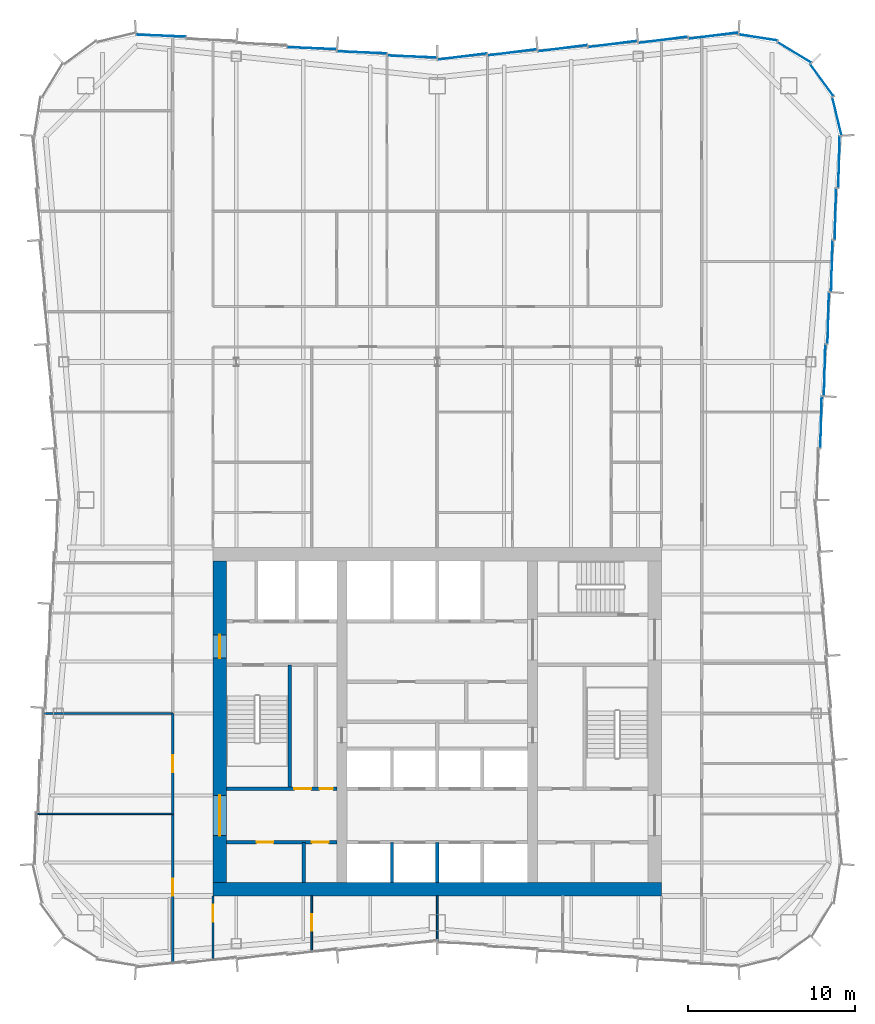
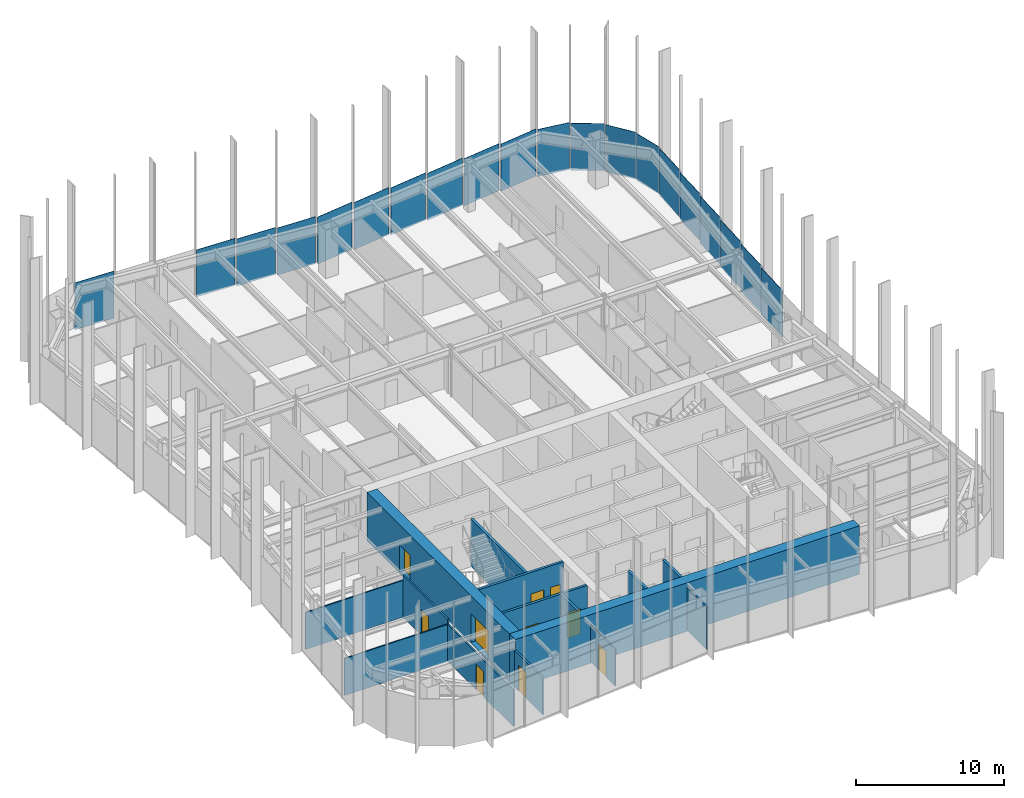
# One storey, part 10 of 15: 20 plates, 15 walls, 10 doors, 10 openings, 3 elements without a shape of their own.
"""IFC4 building model written with IfcOpenShell, lengths in metres."""

from ifc_helpers import new_model, si_unit, direction, frame, frame_2d, origin, origin_2d, place, context, subcontext, project, spatial, rectangle, extrude, material, layer, layer_set, type_object, element, fill, aggregate, save


model = new_model("IFC4")

# Units and contexts
model_context = context("Model", 3, precision=1e-05, world=origin(), true_north=direction((0.0, 1.0)))
body_context = subcontext(model_context, "Body", "Model", "MODEL_VIEW")
ifc_project = project(units=[si_unit("LENGTHUNIT", "METRE"), si_unit("AREAUNIT", "SQUARE_METRE"), si_unit("VOLUMEUNIT", "CUBIC_METRE"), si_unit("PLANEANGLEUNIT", "RADIAN"), si_unit("MASSUNIT", "GRAM", prefix="KILO")], contexts=[model_context])

# Site, building, storey
site_placement = place(None, origin())
site = spatial("IfcSite", under=ifc_project, at=site_placement, CompositionType="ELEMENT")
building_placement = place(site_placement, origin())
building = spatial("IfcBuilding", under=site, at=building_placement, Name="Verdant Reach Tower", CompositionType="ELEMENT")
storey_placement = place(building_placement, frame((0.0, 0.0, 262.0)))
storey = spatial("IfcBuildingStorey", under=building, at=storey_placement, Name="L60", CompositionType="ELEMENT", Elevation=262.0)

# Curtain wall, plates
ifc_material_1 = material(Name="Anodised aluminium", Category="aluminium")
curtain_wall_type = type_object("IfcCurtainWallType", Name="EN-CW SYSTEM Z4", PredefinedType="NOTDEFINED", material=ifc_material_1)
curtain_wall_1_placement = place(storey_placement, origin())
curtain_wall_1 = element("IfcCurtainWall", 1, at=curtain_wall_1_placement, inside=storey, type_object=curtain_wall_type, Name="Curtain wall east, L60", PredefinedType="NOTDEFINED")
ifc_material_2 = material(Name="Tinted glass with champagne spandrel", Category="glass")
ifc_layer_1 = layer(ifc_material_2, 0.031982421875)
ifc_layer_set_1 = layer_set([ifc_layer_1], Name="EN-PANEL CHAMPAGNE")
plate_type_1 = type_object("IfcPlateType", Name="EN-PANEL CHAMPAGNE", PredefinedType="CURTAIN_PANEL", material=ifc_layer_set_1)
plate_1_placement = place(storey_placement, frame((23.36181640625, 52.1171875, -0.221923828125), z_axis=(0.0, 0.0, 1.0), x_axis=(0.026965318308, 0.999636369691, 0.0)))
plate_1 = element("IfcPlate", 2, at=plate_1_placement, type_object=plate_type_1, Name="Glass panel east face part 2 4.1, L60", PredefinedType="CURTAIN_PANEL", context=body_context, shape_type="SweptSolid", body=[
    extrude(rectangle(XDim=3.050537109375, YDim=0.031982421875, at=origin_2d()), origin(), (0.0, 0.0, 1.0), 3.8720703125),
])
plate_2_placement = place(storey_placement, frame((23.575927734375, 55.224365234375, -0.221923828125), z_axis=(0.0, 0.0, 1.0), x_axis=(0.026965318308, 0.999636369691, 0.0)))
plate_2 = element("IfcPlate", 3, at=plate_2_placement, type_object=plate_type_1, Name="Glass panel east face part 2 5.1, L60", PredefinedType="CURTAIN_PANEL", context=body_context, shape_type="SweptSolid", body=[
    extrude(rectangle(XDim=3.050537109375, YDim=0.031982421875, at=origin_2d()), origin(), (0.0, 0.0, 1.0), 3.8720703125),
])

curtain_wall_2_placement = place(storey_placement, origin())
curtain_wall_2 = element("IfcCurtainWall", 4, at=curtain_wall_2_placement, inside=storey, type_object=curtain_wall_type, Name="Curtain wall north-east corner, L60", PredefinedType="NOTDEFINED")
plate_3_placement = place(storey_placement, frame((22.984375, 66.330322265625, -0.221923828125), z_axis=(0.0, 0.0, 1.0), x_axis=(-0.589926737254, 0.80745677573, 0.0)))
plate_3 = element("IfcPlate", 5, at=plate_3_placement, type_object=plate_type_1, Name="Glass panel north-east corner 2.1, L60", PredefinedType="CURTAIN_PANEL", context=body_context, shape_type="SweptSolid", body=[
    extrude(rectangle(XDim=2.32080078125, YDim=0.031982421875, at=origin_2d()), origin(), (0.0, 0.0, 1.0), 3.8720703125),
])
plate_4_placement = place(storey_placement, frame((21.330322265625, 67.984375, -0.221923828125), z_axis=(0.0, 0.0, 1.0), x_axis=(-0.853988708265, 0.520291539577, 0.0)))
plate_4 = element("IfcPlate", 6, at=plate_4_placement, type_object=plate_type_1, Name="Glass panel north-east corner 3.1, L60", PredefinedType="CURTAIN_PANEL", context=body_context, shape_type="SweptSolid", body=[
    extrude(rectangle(XDim=2.32080078125, YDim=0.031982421875, at=origin_2d()), origin(), (0.0, 0.0, 1.0), 3.8720703125),
])
plate_5_placement = place(storey_placement, frame((19.172607421875, 68.87939453125, -0.221923828125), z_axis=(0.0, 0.0, 1.0), x_axis=(-0.98802725693, 0.154279420415, 0.0)))
plate_5 = element("IfcPlate", 7, at=plate_5_placement, type_object=plate_type_1, Name="Glass panel north-east corner 4.1, L60", PredefinedType="CURTAIN_PANEL", context=body_context, shape_type="SweptSolid", body=[
    extrude(rectangle(XDim=2.314453125, YDim=0.031982421875, at=origin_2d()), origin(), (0.0, 0.0, 1.0), 3.8720703125),
])

curtain_wall_3_placement = place(storey_placement, origin())
curtain_wall_3 = element("IfcCurtainWall", 8, at=curtain_wall_3_placement, inside=storey, type_object=curtain_wall_type, Name="Curtain wall north, L60", PredefinedType="NOTDEFINED")
plate_6_placement = place(storey_placement, frame((16.49853515625, 68.98681640625, -0.221923828125), z_axis=(0.0, 0.0, 1.0), x_axis=(-0.992238962139, -0.124345655383, 0.0)))
plate_6 = element("IfcPlate", 9, at=plate_6_placement, type_object=plate_type_1, Name="Glass panel north face part 1 1.1, L60", PredefinedType="CURTAIN_PANEL", context=body_context, shape_type="SweptSolid", body=[
    extrude(rectangle(XDim=2.9619140625, YDim=0.031982421875, at=origin_2d()), origin(), (0.0, 0.0, 1.0), 3.8720703125),
])
plate_7_placement = place(storey_placement, frame((13.49072265625, 68.736572265625, -0.221923828125), z_axis=(0.0, 0.0, 1.0), x_axis=(-0.992194034542, -0.124703639961, 0.0)))
plate_7 = element("IfcPlate", 10, at=plate_7_placement, type_object=plate_type_1, Name="Glass panel north face part 1 2.1, L60", PredefinedType="CURTAIN_PANEL", context=body_context, shape_type="SweptSolid", body=[
    extrude(rectangle(XDim=2.9462890625, YDim=0.031982421875, at=origin_2d()), origin(), (0.0, 0.0, 1.0), 3.8720703125),
])
plate_8_placement = place(storey_placement, frame((-4.49072265625, 67.986572265625, -0.221923828125), z_axis=(0.0, 0.0, 1.0), x_axis=(-0.999149202059, 0.041241629766, 0.0)))
plate_8 = element("IfcPlate", 11, at=plate_8_placement, type_object=plate_type_1, Name="Glass panel north face part 2 2.1, L60", PredefinedType="CURTAIN_PANEL", context=body_context, shape_type="SweptSolid", body=[
    extrude(rectangle(XDim=2.9462890625, YDim=0.031982421875, at=origin_2d()), origin(), (0.0, 0.0, 1.0), 3.8720703125),
])
plate_9_placement = place(storey_placement, frame((-7.49072265625, 68.236572265625, -0.221923828125), z_axis=(0.0, 0.0, 1.0), x_axis=(-0.999149202059, 0.041241629766, 0.0)))
plate_9 = element("IfcPlate", 12, at=plate_9_placement, type_object=plate_type_1, Name="Glass panel north face part 2 3.1, L60", PredefinedType="CURTAIN_PANEL", context=body_context, shape_type="SweptSolid", body=[
    extrude(rectangle(XDim=2.9462890625, YDim=0.031982421875, at=origin_2d()), origin(), (0.0, 0.0, 1.0), 3.8720703125),
])

# Plate
ifc_material_3 = material(Name="Tinted glass with copper spandrel", Category="glass")
ifc_layer_2 = layer(ifc_material_3, 0.031982421875)
ifc_layer_set_2 = layer_set([ifc_layer_2], Name="EN-PANEL COPPER")
plate_type_2 = type_object("IfcPlateType", Name="EN-PANEL COPPER", PredefinedType="CURTAIN_PANEL", material=ifc_layer_set_2)
plate_10_placement = place(storey_placement, frame((23.790283203125, 58.33154296875, -0.221923828125), z_axis=(0.0, 0.0, 1.0), x_axis=(0.026965318308, 0.999636369691, 0.0)))
plate_10 = element("IfcPlate", 13, at=plate_10_placement, type_object=plate_type_2, Name="Glass panel east face part 2 6.1, L60", PredefinedType="CURTAIN_PANEL", context=body_context, shape_type="SweptSolid", body=[
    extrude(rectangle(XDim=3.050537109375, YDim=0.031982421875, at=origin_2d()), origin(), (0.0, 0.0, 1.0), 3.8720703125),
])

plate_11_placement = place(storey_placement, frame((24.004638671875, 61.446044921875, -0.221923828125), z_axis=(0.0, 0.0, 1.0), x_axis=(0.026651253217, 0.999644792265, 0.0)))
plate_11 = element("IfcPlate", 14, at=plate_11_placement, type_object=plate_type_2, Name="Glass panel east face part 2 7.1, L60", PredefinedType="CURTAIN_PANEL", context=body_context, shape_type="SweptSolid", body=[
    extrude(rectangle(XDim=3.0654296875, YDim=0.031982421875, at=origin_2d()), origin(), (0.0, 0.0, 1.0), 3.8720703125),
])

plate_12_placement = place(storey_placement, frame((10.49072265625, 68.486572265625, -0.221923828125), z_axis=(0.0, 0.0, 1.0), x_axis=(-0.992194034542, -0.124703639961, 0.0)))
plate_12 = element("IfcPlate", 15, at=plate_12_placement, type_object=plate_type_2, Name="Glass panel north face part 1 3.1, L60", PredefinedType="CURTAIN_PANEL", context=body_context, shape_type="SweptSolid", body=[
    extrude(rectangle(XDim=2.9462890625, YDim=0.031982421875, at=origin_2d()), origin(), (0.0, 0.0, 1.0), 3.8720703125),
])

plate_13_placement = place(storey_placement, frame((7.49072265625, 68.236572265625, -0.221923828125), z_axis=(0.0, 0.0, 1.0), x_axis=(-0.992194034542, -0.124703639961, 0.0)))
plate_13 = element("IfcPlate", 16, at=plate_13_placement, type_object=plate_type_2, Name="Glass panel north face part 1 4.1, L60", PredefinedType="CURTAIN_PANEL", context=body_context, shape_type="SweptSolid", body=[
    extrude(rectangle(XDim=2.9462890625, YDim=0.031982421875, at=origin_2d()), origin(), (0.0, 0.0, 1.0), 3.8720703125),
])

plate_14_placement = place(storey_placement, frame((-16.49853515625, 68.98681640625, -0.221923828125), z_axis=(0.0, 0.0, 1.0), x_axis=(-0.999164016711, 0.040881141246, 0.0)))
plate_14 = element("IfcPlate", 17, at=plate_14_placement, type_object=plate_type_2, Name="Glass panel north face part 2 6.1, L60", PredefinedType="CURTAIN_PANEL", context=body_context, shape_type="SweptSolid", body=[
    extrude(rectangle(XDim=2.9619140625, YDim=0.031982421875, at=origin_2d()), origin(), (0.0, 0.0, 1.0), 3.8720703125),
])

ifc_material_4 = material(Name="Tinted glass with dark bronze spandrel", Category="glass")
ifc_layer_3 = layer(ifc_material_4, 0.031982421875)
ifc_layer_set_3 = layer_set([ifc_layer_3], Name="EN-PANEL DARK")
plate_type_3 = type_object("IfcPlateType", Name="EN-PANEL DARK", PredefinedType="CURTAIN_PANEL", material=ifc_layer_set_3)
plate_15_placement = place(storey_placement, frame((22.93310546875, 45.903076171875, -0.221923828125), z_axis=(0.0, 0.0, 1.0), x_axis=(0.026965318308, 0.999636369691, 0.0)))
plate_15 = element("IfcPlate", 18, at=plate_15_placement, type_object=plate_type_3, Name="Glass panel east face part 2 2.1, L60", PredefinedType="CURTAIN_PANEL", context=body_context, shape_type="SweptSolid", body=[
    extrude(rectangle(XDim=3.050537109375, YDim=0.031982421875, at=origin_2d()), origin(), (0.0, 0.0, 1.0), 3.8720703125),
])

plate_16_placement = place(storey_placement, frame((23.1474609375, 49.01025390625, -0.221923828125), z_axis=(0.0, 0.0, 1.0), x_axis=(0.026965318308, 0.999636369691, 0.0)))
plate_16 = element("IfcPlate", 19, at=plate_16_placement, type_object=plate_type_3, Name="Glass panel east face part 2 3.1, L60", PredefinedType="CURTAIN_PANEL", context=body_context, shape_type="SweptSolid", body=[
    extrude(rectangle(XDim=3.050537109375, YDim=0.031982421875, at=origin_2d()), origin(), (0.0, 0.0, 1.0), 3.8720703125),
])

aggregate(curtain_wall_1, [plate_15, plate_16, plate_1, plate_2, plate_10, plate_11])

plate_17_placement = place(storey_placement, frame((23.87939453125, 64.173095703125, -0.221923828125), z_axis=(0.0, 0.0, 1.0), x_axis=(-0.236458850433, 0.971641503875, 0.0)))
plate_17 = element("IfcPlate", 20, at=plate_17_placement, type_object=plate_type_3, Name="Glass panel north-east corner 1.1, L60", PredefinedType="CURTAIN_PANEL", context=body_context, shape_type="SweptSolid", body=[
    extrude(rectangle(XDim=2.313720703125, YDim=0.031982421875, at=origin_2d()), origin(), (0.0, 0.0, 1.0), 3.8720703125),
])

aggregate(curtain_wall_2, [plate_17, plate_3, plate_4, plate_5])

plate_18_placement = place(storey_placement, frame((4.49072265625, 67.986572265625, -0.221923828125), z_axis=(0.0, 0.0, 1.0), x_axis=(-0.992194034542, -0.124703639961, 0.0)))
plate_18 = element("IfcPlate", 21, at=plate_18_placement, type_object=plate_type_3, Name="Glass panel north face part 1 5.1, L60", PredefinedType="CURTAIN_PANEL", context=body_context, shape_type="SweptSolid", body=[
    extrude(rectangle(XDim=2.9462890625, YDim=0.031982421875, at=origin_2d()), origin(), (0.0, 0.0, 1.0), 3.8720703125),
])

plate_19_placement = place(storey_placement, frame((1.495361328125, 67.73681640625, -0.221923828125), z_axis=(0.0, 0.0, 1.0), x_axis=(-0.992177950603, -0.124831543836, 0.0)))
plate_19 = element("IfcPlate", 22, at=plate_19_placement, type_object=plate_type_3, Name="Glass panel north face part 1 6.1, L60", PredefinedType="CURTAIN_PANEL", context=body_context, shape_type="SweptSolid", body=[
    extrude(rectangle(XDim=2.93701171875, YDim=0.031982421875, at=origin_2d()), origin(), (0.0, 0.0, 1.0), 3.8720703125),
])

plate_20_placement = place(storey_placement, frame((-1.495361328125, 67.73681640625, -0.221923828125), z_axis=(0.0, 0.0, 1.0), x_axis=(-0.999143877249, 0.041370430933, 0.0)))
plate_20 = element("IfcPlate", 23, at=plate_20_placement, type_object=plate_type_3, Name="Glass panel north face part 2 1.1, L60", PredefinedType="CURTAIN_PANEL", context=body_context, shape_type="SweptSolid", body=[
    extrude(rectangle(XDim=2.93701171875, YDim=0.031982421875, at=origin_2d()), origin(), (0.0, 0.0, 1.0), 3.8720703125),
])

aggregate(curtain_wall_3, [plate_6, plate_7, plate_12, plate_13, plate_18, plate_19, plate_20, plate_8, plate_9, plate_14])

# Wall, openings, doors
ifc_material_5 = material(Name="Gypsum board on steel studs", Category="steel")
ifc_layer_4 = layer(ifc_material_5, 0.199951171875)
ifc_layer_set_4 = layer_set([ifc_layer_4], Name="CO-WALL-ROOM")
wall_type_1 = type_object("IfcWallType", Name="CO-WALL-ROOM", PredefinedType="PARTITIONING", material=ifc_layer_set_4)
wall_1_placement = place(storey_placement, frame((-12.60009765625, 20.800048828125, 0.0), z_axis=(0.0, 0.0, 1.0), x_axis=(1.0, 0.0, 0.0)))
wall_1 = element("IfcWall", 24, at=wall_1_placement, inside=storey, type_object=wall_type_1, Name="Core partition, L60", PredefinedType="PARTITIONING", context=body_context, shape_type="SweptSolid", body=[
    extrude(rectangle(XDim=6.60009765625, YDim=0.199951171875, at=frame_2d((3.300048828125, 0.0))), origin(), (0.0, 0.0, 1.0), 3.8701171875),
])
opening_1_placement = place(wall_1_placement, frame((1.81005859375, 0.0, 0.0)))
opening_1 = element("IfcOpeningElement", 25, at=opening_1_placement, cuts=wall_1, Name="Opening CD", PredefinedType="OPENING", context=body_context, shape_type="SweptSolid", body=[
    extrude(rectangle(XDim=1.0, YDim=2.10009765625, at=frame_2d((0.5, 1.050048828125))), frame((0.0, 0.10986328125, 0.0), z_axis=(0.0, -1.0, 0.0), x_axis=(1.0, 0.0, 0.0)), (0.0, 0.0, 1.0), 0.219970703125),
])
opening_2_placement = place(wall_1_placement, frame((5.110107421875, 0.0, 0.0)))
opening_2 = element("IfcOpeningElement", 26, at=opening_2_placement, cuts=wall_1, Name="Opening CD", PredefinedType="OPENING", context=body_context, shape_type="SweptSolid", body=[
    extrude(rectangle(XDim=1.0, YDim=2.10009765625, at=frame_2d((0.5, 1.050048828125))), frame((0.0, 0.10986328125, 0.0), z_axis=(0.0, -1.0, 0.0), x_axis=(1.0, 0.0, 0.0)), (0.0, 0.0, 1.0), 0.219970703125),
])
ifc_material_6 = material(Name="Timber", Category="wood")
door_type_1 = type_object("IfcDoorType", Name="CO-DOOR-ROOM", OperationType="NOTDEFINED", PredefinedType="DOOR", material=ifc_material_6)
door_1_placement = place(opening_1_placement, origin())
door_1 = element("IfcDoor", 27, at=door_1_placement, inside=storey, type_object=door_type_1, Name="Core room door, L60", OperationType="SINGLE_SWING_LEFT", OverallHeight=2.10009765625, OverallWidth=1.0, PredefinedType="DOOR", context=body_context, shape_type="SweptSolid", body=[
    extrude(rectangle(XDim=1.0, YDim=2.10009765625, at=frame_2d((0.5, 1.050048828125))), frame((0.0, 0.02490234375, 0.0), z_axis=(0.0, -1.0, 0.0), x_axis=(1.0, 0.0, 0.0)), (0.0, 0.0, 1.0), 0.050048828125),
])
fill(opening_1, door_1)
door_2_placement = place(opening_2_placement, origin())
door_2 = element("IfcDoor", 28, at=door_2_placement, inside=storey, type_object=door_type_1, Name="Core room door, L60", OperationType="SINGLE_SWING_LEFT", OverallHeight=2.10009765625, OverallWidth=1.0, PredefinedType="DOOR", context=body_context, shape_type="SweptSolid", body=[
    extrude(rectangle(XDim=1.0, YDim=2.10009765625, at=frame_2d((0.5, 1.050048828125))), frame((0.0, 0.02490234375, 0.0), z_axis=(0.0, -1.0, 0.0), x_axis=(1.0, 0.0, 0.0)), (0.0, 0.0, 1.0), 0.050048828125),
])
fill(opening_2, door_2)

# Walls
wall_2_placement = place(storey_placement, frame((-7.97998046875, 18.39990234375, 0.0), z_axis=(0.0, 0.0, 1.0), x_axis=(0.0, 1.0, 0.0)))
element("IfcWall", 29, at=wall_2_placement, inside=storey, type_object=wall_type_1, Name="Core partition, L60", PredefinedType="PARTITIONING", context=body_context, shape_type="SweptSolid", body=[
    extrude(rectangle(XDim=2.400146484375, YDim=0.199951171875, at=frame_2d((1.2001953125, 0.0))), origin(), (0.0, 0.0, 1.0), 3.8701171875),
])
ifc_material_7 = material(Name="Concrete C40/50", Category="concrete")
ifc_layer_5 = layer(ifc_material_7, 0.199951171875)
ifc_layer_set_5 = layer_set([ifc_layer_5], Name="CO-WALL-SHAFT")
wall_type_2 = type_object("IfcWallType", Name="CO-WALL-SHAFT", PredefinedType="PARTITIONING", material=ifc_layer_set_5)
for number, where, z_axis, x_axis, name in (
    (30, (-2.699951171875, 18.39990234375, 0.0), (0.0, 0.0, 1.0), (0.0, 1.0, 0.0), "Lift shaft wall, L60"),
    (31, (0.0, 18.39990234375, 0.0), (0.0, 0.0, 1.0), (0.0, 1.0, 0.0), "Lift shaft wall, L60"),
):
    element("IfcWall", number, at=place(storey_placement, frame(where, z_axis=z_axis, x_axis=x_axis)), inside=storey, type_object=wall_type_2, Name=name, PredefinedType="PARTITIONING", context=body_context, shape_type="SweptSolid", body=[
        extrude(rectangle(XDim=2.400146484375, YDim=0.199951171875, at=frame_2d((1.2001953125, 0.0))), origin(), (0.0, 0.0, 1.0), 3.8701171875),
    ])

# Wall, openings, doors
ifc_layer_6 = layer(ifc_material_7, 0.199951171875)
ifc_layer_set_6 = layer_set([ifc_layer_6], Name="CO-WALL-STAIR")
wall_type_3 = type_object("IfcWallType", Name="CO-WALL-STAIR", PredefinedType="PARTITIONING", material=ifc_layer_set_6)
wall_3_placement = place(storey_placement, frame((-12.60009765625, 24.0, 0.0), z_axis=(0.0, 0.0, 1.0), x_axis=(1.0, 0.0, 0.0)))
wall_3 = element("IfcWall", 32, at=wall_3_placement, inside=storey, type_object=wall_type_3, Name="Stair enclosure wall, L60", PredefinedType="PARTITIONING", context=body_context, shape_type="SweptSolid", body=[
    extrude(rectangle(XDim=6.60009765625, YDim=0.199951171875, at=frame_2d((3.300048828125, 0.0))), origin(), (0.0, 0.0, 1.0), 3.8701171875),
])
opening_3_placement = place(wall_3_placement, frame((4.070068359375, 0.0, 0.0)))
opening_3 = element("IfcOpeningElement", 33, at=opening_3_placement, cuts=wall_3, Name="Opening CD", PredefinedType="OPENING", context=body_context, shape_type="SweptSolid", body=[
    extrude(rectangle(XDim=1.0, YDim=2.10009765625, at=frame_2d((0.5, 1.050048828125))), frame((0.0, 0.10986328125, 0.0), z_axis=(0.0, -1.0, 0.0), x_axis=(1.0, 0.0, 0.0)), (0.0, 0.0, 1.0), 0.219970703125),
])
opening_4_placement = place(wall_3_placement, frame((5.570068359375, 0.0, 0.0)))
opening_4 = element("IfcOpeningElement", 34, at=opening_4_placement, cuts=wall_3, Name="Opening CDN", PredefinedType="OPENING", context=body_context, shape_type="SweptSolid", body=[
    extrude(rectangle(XDim=0.800048828125, YDim=2.10009765625, at=frame_2d((0.39990234375, 1.050048828125))), frame((0.0, 0.10986328125, 0.0), z_axis=(0.0, -1.0, 0.0), x_axis=(1.0, 0.0, 0.0)), (0.0, 0.0, 1.0), 0.219970703125),
])
door_3_placement = place(opening_3_placement, origin())
door_3 = element("IfcDoor", 35, at=door_3_placement, inside=storey, type_object=door_type_1, Name="Core room door, L60", OperationType="SINGLE_SWING_RIGHT", OverallHeight=2.10009765625, OverallWidth=1.0, PredefinedType="DOOR", context=body_context, shape_type="SweptSolid", body=[
    extrude(rectangle(XDim=1.0, YDim=2.10009765625, at=frame_2d((0.5, 1.050048828125))), frame((0.0, 0.02490234375, 0.0), z_axis=(0.0, -1.0, 0.0), x_axis=(1.0, 0.0, 0.0)), (0.0, 0.0, 1.0), 0.050048828125),
])
fill(opening_3, door_3)
door_type_2 = type_object("IfcDoorType", Name="CO-DOOR-ROOM-NARROW", OperationType="NOTDEFINED", PredefinedType="DOOR", material=ifc_material_6)
door_4_placement = place(opening_4_placement, origin())
door_4 = element("IfcDoor", 36, at=door_4_placement, inside=storey, type_object=door_type_2, Name="Core room door, L60", OperationType="SINGLE_SWING_LEFT", OverallHeight=2.10009765625, OverallWidth=0.800048828125, PredefinedType="DOOR", context=body_context, shape_type="SweptSolid", body=[
    extrude(rectangle(XDim=0.800048828125, YDim=2.10009765625, at=frame_2d((0.39990234375, 1.050048828125))), frame((0.0, 0.02490234375, 0.0), z_axis=(0.0, -1.0, 0.0), x_axis=(1.0, 0.0, 0.0)), (0.0, 0.0, 1.0), 0.050048828125),
])
fill(opening_4, door_4)

# Walls
wall_4_placement = place(storey_placement, frame((-8.800048828125, 24.0, 0.0), z_axis=(0.0, 0.0, 1.0), x_axis=(0.0, 1.0, 0.0)))
element("IfcWall", 37, at=wall_4_placement, inside=storey, type_object=wall_type_3, Name="Stair enclosure wall, L60", PredefinedType="PARTITIONING", context=body_context, shape_type="SweptSolid", body=[
    extrude(rectangle(XDim=7.39990234375, YDim=0.199951171875, at=frame_2d((3.699951171875, 0.0))), origin(), (0.0, 0.0, 1.0), 3.8701171875),
])
ifc_layer_7 = layer(ifc_material_5, 0.10009765625)
ifc_layer_set_7 = layer_set([ifc_layer_7], Name="FL-W1 Partition 100")
wall_type_4 = type_object("IfcWallType", Name="FL-W1 Partition 100", PredefinedType="PARTITIONING", material=ifc_layer_set_7)
wall_5_placement = place(storey_placement, frame((-15.800048828125, 22.5, 0.0), z_axis=(0.0, 0.0, 1.0), x_axis=(-1.0, 0.0, 0.0)))
element("IfcWall", 38, at=wall_5_placement, inside=storey, type_object=wall_type_4, Name="Partition 60.41", PredefinedType="PARTITIONING", context=body_context, shape_type="SweptSolid", body=[
    extrude(rectangle(XDim=8.072998046875, YDim=0.10009765625, at=frame_2d((4.03662109375, 0.0))), origin(), (0.0, 0.0, 1.0), 3.0400390625),
])
wall_6_placement = place(storey_placement, frame((-15.800048828125, 28.5, 0.0), z_axis=(0.0, 0.0, 1.0), x_axis=(-1.0, 0.0, 0.0)))
element("IfcWall", 39, at=wall_6_placement, inside=storey, type_object=wall_type_4, Name="Partition 60.42", PredefinedType="PARTITIONING", context=body_context, shape_type="SweptSolid", body=[
    extrude(rectangle(XDim=7.6591796875, YDim=0.10009765625, at=frame_2d((3.82958984375, 0.0))), origin(), (0.0, 0.0, 1.0), 3.0400390625),
])

# Wall, opening, door
wall_7_placement = place(storey_placement, frame((-7.5, 17.60009765625, 0.0), z_axis=(0.0, 0.0, 1.0), x_axis=(0.0, -1.0, 0.0)))
wall_7 = element("IfcWall", 40, at=wall_7_placement, inside=storey, type_object=wall_type_4, Name="Partition 60.56", PredefinedType="PARTITIONING", context=body_context, shape_type="SweptSolid", body=[
    extrude(rectangle(XDim=3.30517578125, YDim=0.10009765625, at=frame_2d((1.652587890625, 0.0))), origin(), (0.0, 0.0, 1.0), 3.0400390625),
])
opening_5_placement = place(wall_7_placement, frame((1.08740234375, 0.0, 0.0)))
opening_5 = element("IfcOpeningElement", 41, at=opening_5_placement, cuts=wall_7, Name="Opening D3", PredefinedType="OPENING", context=body_context, shape_type="SweptSolid", body=[
    extrude(rectangle(XDim=1.0, YDim=2.10009765625, at=frame_2d((0.5, 1.050048828125))), frame((0.0, 0.06005859375, 0.0), z_axis=(0.0, -1.0, 0.0), x_axis=(1.0, 0.0, 0.0)), (0.0, 0.0, 1.0), 0.1201171875),
])
ifc_material_8 = material(Name="Painted timber door leaf", Category="wood")
door_type_3 = type_object("IfcDoorType", Name="FL-D3 Door 1000x2100", OperationType="NOTDEFINED", PredefinedType="DOOR", material=ifc_material_8)
door_5_placement = place(opening_5_placement, origin())
door_5 = element("IfcDoor", 42, at=door_5_placement, inside=storey, type_object=door_type_3, Name="Door 60-031", OperationType="SINGLE_SWING_LEFT", OverallHeight=2.10009765625, OverallWidth=1.0, PredefinedType="DOOR", context=body_context, shape_type="SweptSolid", body=[
    extrude(rectangle(XDim=1.0, YDim=2.10009765625, at=frame_2d((0.5, 1.050048828125))), frame((0.0, 0.02490234375, 0.0), z_axis=(0.0, -1.0, 0.0), x_axis=(1.0, 0.0, 0.0)), (0.0, 0.0, 1.0), 0.050048828125),
])
fill(opening_5, door_5)

# Wall
wall_8_placement = place(storey_placement, frame((0.0, 14.919921875, 0.0), z_axis=(0.0, 0.0, 1.0), x_axis=(0.0, 1.0, 0.0)))
element("IfcWall", 43, at=wall_8_placement, inside=storey, type_object=wall_type_4, Name="Partition 60.57", PredefinedType="PARTITIONING", context=body_context, shape_type="SweptSolid", body=[
    extrude(rectangle(XDim=2.68017578125, YDim=0.10009765625, at=frame_2d((1.340087890625, 0.0))), origin(), (0.0, 0.0, 1.0), 3.5400390625),
])

# Wall, opening, door
ifc_material_9 = material(Name="Gypsum board on steel studs, fire rated", Category="steel")
ifc_layer_8 = layer(ifc_material_9, 0.125)
ifc_layer_set_8 = layer_set([ifc_layer_8], Name="FL-W2 Corridor wall 125")
wall_type_5 = type_object("IfcWallType", Name="FL-W2 Corridor wall 125", PredefinedType="PARTITIONING", material=ifc_layer_set_8)
wall_9_placement = place(storey_placement, frame((-15.800048828125, 13.603271484375, 0.0), z_axis=(0.0, 0.0, 1.0), x_axis=(0.0, 1.0, 0.0)))
wall_9 = element("IfcWall", 44, at=wall_9_placement, inside=storey, type_object=wall_type_5, Name="Partition 60.01", PredefinedType="PARTITIONING", context=body_context, shape_type="SweptSolid", body=[
    extrude(rectangle(XDim=8.896728515625, YDim=0.125, at=frame_2d((4.4482421875, 0.0))), origin(), (0.0, 0.0, 1.0), 3.0400390625),
])
opening_6_placement = place(wall_9_placement, frame((4.013427734375, 0.0, 0.0)))
opening_6 = element("IfcOpeningElement", 45, at=opening_6_placement, cuts=wall_9, Name="Opening D2", PredefinedType="OPENING", context=body_context, shape_type="SweptSolid", body=[
    extrude(rectangle(XDim=1.0, YDim=2.10009765625, at=frame_2d((0.5, 1.050048828125))), frame((0.0, 0.072509765625, 0.0), z_axis=(0.0, -1.0, 0.0), x_axis=(1.0, 0.0, 0.0)), (0.0, 0.0, 1.0), 0.14501953125),
])
ifc_material_10 = material(Name="Timber door leaf, fire rated", Category="wood")
door_type_4 = type_object("IfcDoorType", Name="FL-D2 Entrance door 1000x2100 FD30", OperationType="NOTDEFINED", PredefinedType="DOOR", material=ifc_material_10)
door_6_placement = place(opening_6_placement, origin())
door_6 = element("IfcDoor", 46, at=door_6_placement, inside=storey, type_object=door_type_4, Name="Door 60-001", OperationType="SINGLE_SWING_RIGHT", OverallHeight=2.10009765625, OverallWidth=1.0, PredefinedType="DOOR", context=body_context, shape_type="SweptSolid", body=[
    extrude(rectangle(XDim=1.0, YDim=2.10009765625, at=frame_2d((0.5, 1.050048828125))), frame((0.0, 0.02490234375, 0.0), z_axis=(0.0, -1.0, 0.0), x_axis=(1.0, 0.0, 0.0)), (0.0, 0.0, 1.0), 0.050048828125),
])
fill(opening_6, door_6)

wall_10_placement = place(storey_placement, frame((-15.800048828125, 22.5, 0.0), z_axis=(0.0, 0.0, 1.0), x_axis=(0.0, 1.0, 0.0)))
wall_10 = element("IfcWall", 47, at=wall_10_placement, inside=storey, type_object=wall_type_5, Name="Partition 60.02", PredefinedType="PARTITIONING", context=body_context, shape_type="SweptSolid", body=[
    extrude(rectangle(XDim=6.0, YDim=0.125, at=frame_2d((3.0, 0.0))), origin(), (0.0, 0.0, 1.0), 3.43994140625),
])
opening_7_placement = place(wall_10_placement, frame((2.5, 0.0, 0.0)))
opening_7 = element("IfcOpeningElement", 48, at=opening_7_placement, cuts=wall_10, Name="Opening D2", PredefinedType="OPENING", context=body_context, shape_type="SweptSolid", body=[
    extrude(rectangle(XDim=1.0, YDim=2.10009765625, at=frame_2d((0.5, 1.050048828125))), frame((0.0, 0.072509765625, 0.0), z_axis=(0.0, -1.0, 0.0), x_axis=(1.0, 0.0, 0.0)), (0.0, 0.0, 1.0), 0.14501953125),
])
door_7_placement = place(opening_7_placement, origin())
door_7 = element("IfcDoor", 49, at=door_7_placement, inside=storey, type_object=door_type_4, Name="Door 60-002", OperationType="SINGLE_SWING_RIGHT", OverallHeight=2.10009765625, OverallWidth=1.0, PredefinedType="DOOR", context=body_context, shape_type="SweptSolid", body=[
    extrude(rectangle(XDim=1.0, YDim=2.10009765625, at=frame_2d((0.5, 1.050048828125))), frame((0.0, 0.02490234375, 0.0), z_axis=(0.0, -1.0, 0.0), x_axis=(1.0, 0.0, 0.0)), (0.0, 0.0, 1.0), 0.050048828125),
])
fill(opening_7, door_7)

wall_11_placement = place(storey_placement, frame((-13.39990234375, 17.60009765625, 0.0), z_axis=(0.0, 0.0, 1.0), x_axis=(0.0, -1.0, 0.0)))
wall_11 = element("IfcWall", 50, at=wall_11_placement, inside=storey, type_object=wall_type_5, Name="Partition 60.18", PredefinedType="PARTITIONING", context=body_context, shape_type="SweptSolid", body=[
    extrude(rectangle(XDim=3.796875, YDim=0.125, at=frame_2d((1.8984375, 0.0))), origin(), (0.0, 0.0, 1.0), 3.0400390625),
])
opening_8_placement = place(wall_11_placement, frame((0.533203125, 0.0, 0.0)))
opening_8 = element("IfcOpeningElement", 51, at=opening_8_placement, cuts=wall_11, Name="Opening D2", PredefinedType="OPENING", context=body_context, shape_type="SweptSolid", body=[
    extrude(rectangle(XDim=1.0, YDim=2.10009765625, at=frame_2d((0.5, 1.050048828125))), frame((0.0, 0.072509765625, 0.0), z_axis=(0.0, -1.0, 0.0), x_axis=(1.0, 0.0, 0.0)), (0.0, 0.0, 1.0), 0.14501953125),
])
door_8_placement = place(opening_8_placement, origin())
door_8 = element("IfcDoor", 52, at=door_8_placement, inside=storey, type_object=door_type_4, Name="Door 60-018", OperationType="SINGLE_SWING_LEFT", OverallHeight=2.10009765625, OverallWidth=1.0, PredefinedType="DOOR", context=body_context, shape_type="SweptSolid", body=[
    extrude(rectangle(XDim=1.0, YDim=2.10009765625, at=frame_2d((0.5, 1.050048828125))), frame((0.0, 0.02490234375, 0.0), z_axis=(0.0, -1.0, 0.0), x_axis=(1.0, 0.0, 0.0)), (0.0, 0.0, 1.0), 0.050048828125),
])
fill(opening_8, door_8)

# Wall
ifc_material_11 = material(Name="Concrete C70/85", Category="concrete")
ifc_layer_9 = layer(ifc_material_11, 0.800048828125)
ifc_layer_set_9 = layer_set([ifc_layer_9], Name="ST-CORE-WALL-800")
wall_type_6 = type_object("IfcWallType", Name="ST-CORE-WALL-800", PredefinedType="SHEAR", material=ifc_layer_set_9)
wall_12_placement = place(storey_placement, frame((-13.39990234375, 18.0, -0.1298828125), z_axis=(0.0, 0.0, 1.0), x_axis=(1.0, 0.0, 0.0)))
element("IfcWall", 53, at=wall_12_placement, inside=storey, type_object=wall_type_6, Name="Core wall S, L60", PredefinedType="SHEAR", context=body_context, shape_type="SweptSolid", body=[
    extrude(rectangle(XDim=26.7998046875, YDim=0.800048828125, at=frame_2d((13.39990234375, 0.0))), origin(), (0.0, 0.0, 1.0), 4.0),
])

# Wall, openings, doors
wall_13_placement = place(storey_placement, frame((-13.0, 18.39990234375, -0.1298828125), z_axis=(0.0, 0.0, 1.0), x_axis=(0.0, 1.0, 0.0)))
wall_13 = element("IfcWall", 54, at=wall_13_placement, inside=storey, type_object=wall_type_6, Name="Core wall W, L60", PredefinedType="SHEAR", context=body_context, shape_type="SweptSolid", body=[
    extrude(rectangle(XDim=19.2001953125, YDim=0.800048828125, at=frame_2d((9.60009765625, 0.0))), origin(), (0.0, 0.0, 1.0), 4.0),
])
opening_9_placement = place(wall_13_placement, frame((2.800048828125, 0.0, 0.1298828125)))
opening_9 = element("IfcOpeningElement", 55, at=opening_9_placement, cuts=wall_13, Name="Opening LB", PredefinedType="OPENING", context=body_context, shape_type="SweptSolid", body=[
    extrude(rectangle(XDim=2.39990234375, YDim=2.39990234375, at=frame_2d((1.199951171875, 1.199951171875))), frame((0.0, 0.409912109375, 0.0), z_axis=(0.0, -1.0, 0.0), x_axis=(1.0, 0.0, 0.0)), (0.0, 0.0, 1.0), 0.820068359375),
])
opening_10_placement = place(wall_13_placement, frame((13.39990234375, 0.0, 0.1298828125)))
opening_10 = element("IfcOpeningElement", 56, at=opening_10_placement, cuts=wall_13, Name="Opening FL", PredefinedType="OPENING", context=body_context, shape_type="SweptSolid", body=[
    extrude(rectangle(XDim=1.39990234375, YDim=2.199951171875, at=frame_2d((0.699951171875, 1.10009765625))), frame((0.0, 0.409912109375, 0.0), z_axis=(0.0, -1.0, 0.0), x_axis=(1.0, 0.0, 0.0)), (0.0, 0.0, 1.0), 0.820068359375),
])
ifc_material_12 = material(Name="Steel", Category="steel")
door_type_5 = type_object("IfcDoorType", Name="CO-DOOR-FFL", OperationType="NOTDEFINED", PredefinedType="DOOR", material=ifc_material_12)
door_9_placement = place(opening_10_placement, origin())
door_9 = element("IfcDoor", 57, at=door_9_placement, inside=storey, type_object=door_type_5, Name="Core entrance door, L60", OperationType="SINGLE_SWING_RIGHT", OverallHeight=2.199951171875, OverallWidth=1.39990234375, PredefinedType="DOOR", context=body_context, shape_type="SweptSolid", body=[
    extrude(rectangle(XDim=1.39990234375, YDim=2.199951171875, at=frame_2d((0.699951171875, 1.10009765625))), frame((0.0, 0.02490234375, 0.0), z_axis=(0.0, -1.0, 0.0), x_axis=(1.0, 0.0, 0.0)), (0.0, 0.0, 1.0), 0.050048828125),
])
fill(opening_10, door_9)
ifc_material_13 = material(Name="Glass and steel", Category="steel")
door_type_6 = type_object("IfcDoorType", Name="CO-DOOR-LOBBY", OperationType="DOUBLE_DOOR_SINGLE_SWING", PredefinedType="DOOR", material=ifc_material_13)
door_10_placement = place(opening_9_placement, origin())
door_10 = element("IfcDoor", 58, at=door_10_placement, inside=storey, type_object=door_type_6, Name="Core entrance door, L60", OperationType="DOUBLE_DOOR_SINGLE_SWING", OverallHeight=2.39990234375, OverallWidth=2.39990234375, PredefinedType="DOOR", context=body_context, shape_type="SweptSolid", body=[
    extrude(rectangle(XDim=2.39990234375, YDim=2.39990234375, at=frame_2d((1.199951171875, 1.199951171875))), frame((0.0, 0.02490234375, 0.0), z_axis=(0.0, -1.0, 0.0), x_axis=(1.0, 0.0, 0.0)), (0.0, 0.0, 1.0), 0.050048828125),
])
fill(opening_9, door_10)

save(model, "model.ifc")
